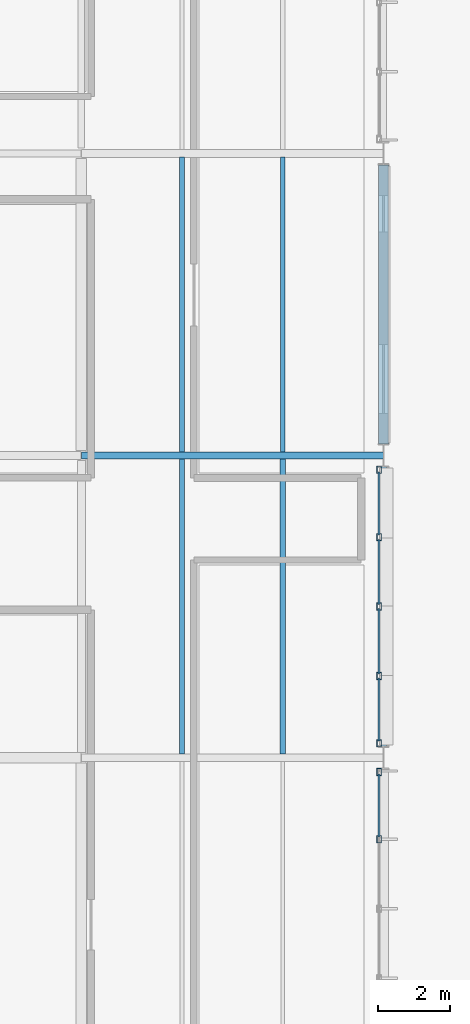
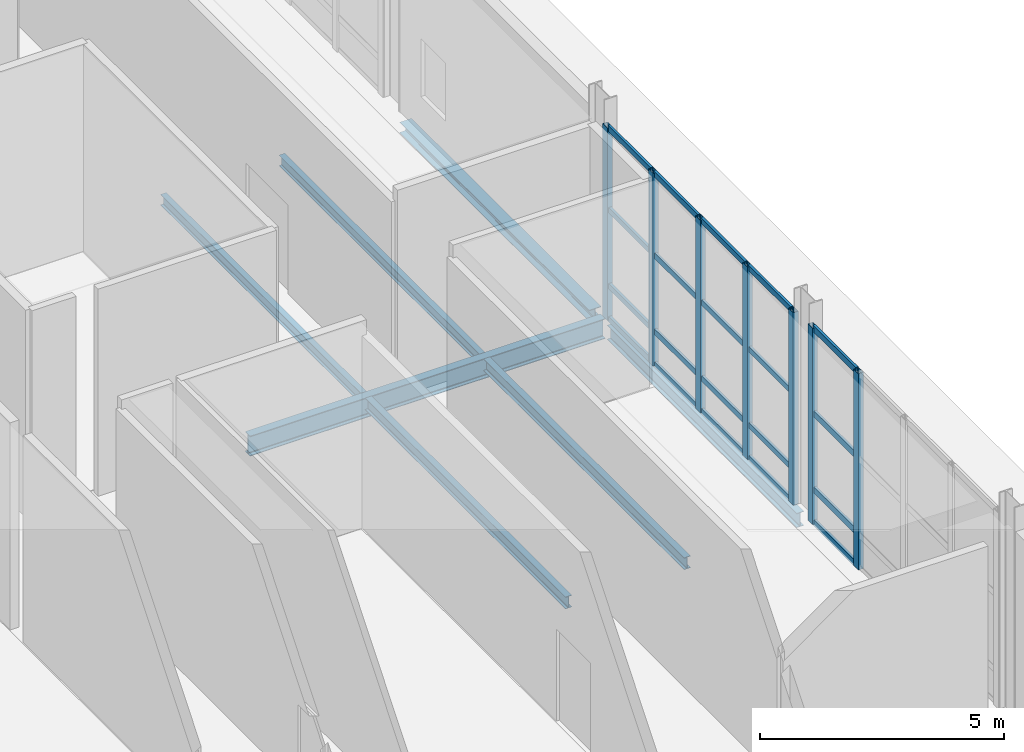
# One storey, part 31 of 124: 27 members, 7 beams, 2 elements without a shape of their own.
"""IFC4 building model written with IfcOpenShell, lengths in metres."""

from ifc_helpers import new_model, si_unit, direction, frame, origin, origin_2d, place, context, subcontext, project, spatial, hollow_rectangle, i_section, extrude, material, material_profile, profile_set, type_object, element, aggregate, save


model = new_model("IFC4")

# Units and contexts
model_context = context("Model", 3, precision=1e-05, world=origin(), true_north=direction((0.0, 1.0)))
body_context = subcontext(model_context, "Body", "Model", "MODEL_VIEW")
ifc_project = project(units=[si_unit("LENGTHUNIT", "METRE"), si_unit("AREAUNIT", "SQUARE_METRE"), si_unit("VOLUMEUNIT", "CUBIC_METRE"), si_unit("PLANEANGLEUNIT", "RADIAN"), si_unit("MASSUNIT", "GRAM", prefix="KILO")], contexts=[model_context])

# Site, building, storey
site_placement = place(None, origin())
site = spatial("IfcSite", under=ifc_project, at=site_placement, CompositionType="ELEMENT")
building_placement = place(site_placement, origin())
building = spatial("IfcBuilding", under=site, at=building_placement, Name="Mersafa Astral City Hall", CompositionType="ELEMENT")
storey_placement = place(building_placement, origin())
storey = spatial("IfcBuildingStorey", under=building, at=storey_placement, Name="L00", CompositionType="ELEMENT", Elevation=0.0)

# Curtain wall, members
ifc_material_1 = material(Name="Anodised bronze aluminium framing", Category="aluminium")
curtain_wall_type_1 = type_object("IfcCurtainWallType", Name="ENV-CW-3", PredefinedType="USERDEFINED", material=ifc_material_1)
curtain_wall_1_placement = place(storey_placement, origin())
curtain_wall_1 = element("IfcCurtainWall", 1, at=curtain_wall_1_placement, inside=storey, type_object=curtain_wall_type_1, Name="L00 Unitised solar curtain wall 8", ObjectType="UNITISED CURTAIN WALL", PredefinedType="USERDEFINED")
ifc_material_profile_1 = material_profile(ifc_material_1, hollow_rectangle(XDim=0.1201171875, YDim=0.199951171875, WallThickness=0.008056640625, at=origin_2d()), Name="RHS 120x200x8")
ifc_profile_set_1 = profile_set([ifc_material_profile_1], Name="Anodised bronze aluminium framing")
member_type_1 = type_object("IfcMemberType", Name="ENV-CW-MUL-2", PredefinedType="MULLION", material=ifc_profile_set_1)
member_1_placement = place(storey_placement, frame((117.47998046875, 48.131591796875, -0.001953125), z_axis=(0.0, 0.0, 1.0), x_axis=(-1.0, 0.0, 0.0)))
member_1 = element("IfcMember", 2, at=member_1_placement, type_object=member_type_1, Name="CW-3 mullion 4", PredefinedType="MULLION", context=body_context, shape_type="SweptSolid", body=[
    extrude(hollow_rectangle(XDim=0.1201171875, YDim=0.199951171875, WallThickness=0.008056640625, at=origin_2d()), origin(), (0.0, 0.0, 1.0), 4.904052734375),
])
member_2_placement = place(storey_placement, frame((117.47998046875, 50.0029296875, -0.001953125), z_axis=(0.0, 0.0, 1.0), x_axis=(-1.0, 0.0, 0.0)))
member_2 = element("IfcMember", 3, at=member_2_placement, type_object=member_type_1, Name="CW-3 mullion 5", PredefinedType="MULLION", context=body_context, shape_type="SweptSolid", body=[
    extrude(hollow_rectangle(XDim=0.1201171875, YDim=0.199951171875, WallThickness=0.008056640625, at=origin_2d()), origin(), (0.0, 0.0, 1.0), 4.904052734375),
])

curtain_wall_type_2 = type_object("IfcCurtainWallType", Name="ENV-CW-4", PredefinedType="USERDEFINED", material=ifc_material_1)
curtain_wall_2_placement = place(storey_placement, origin())
curtain_wall_2 = element("IfcCurtainWall", 4, at=curtain_wall_2_placement, inside=storey, type_object=curtain_wall_type_2, Name="L00 Unitised solar curtain wall 9", ObjectType="UNITISED CURTAIN WALL", PredefinedType="USERDEFINED")
member_3_placement = place(storey_placement, frame((117.47998046875, 50.797119140625, -0.001953125), z_axis=(0.0, 0.0, 1.0), x_axis=(-1.0, 0.0, 0.0)))
member_3 = element("IfcMember", 5, at=member_3_placement, type_object=member_type_1, Name="CW-4 mullion 1", PredefinedType="MULLION", context=body_context, shape_type="SweptSolid", body=[
    extrude(hollow_rectangle(XDim=0.1201171875, YDim=0.199951171875, WallThickness=0.008056640625, at=origin_2d()), origin(), (0.0, 0.0, 1.0), 4.81396484375),
])
member_4_placement = place(storey_placement, frame((117.47998046875, 52.66845703125, -0.001953125), z_axis=(0.0, 0.0, 1.0), x_axis=(-1.0, 0.0, 0.0)))
member_4 = element("IfcMember", 6, at=member_4_placement, type_object=member_type_1, Name="CW-4 mullion 2", PredefinedType="MULLION", context=body_context, shape_type="SweptSolid", body=[
    extrude(hollow_rectangle(XDim=0.1201171875, YDim=0.199951171875, WallThickness=0.008056640625, at=origin_2d()), origin(), (0.0, 0.0, 1.0), 4.81396484375),
])
member_5_placement = place(storey_placement, frame((117.47998046875, 54.60009765625, -0.001953125), z_axis=(0.0, 0.0, 1.0), x_axis=(-1.0, 0.0, 0.0)))
member_5 = element("IfcMember", 7, at=member_5_placement, type_object=member_type_1, Name="CW-4 mullion 3", PredefinedType="MULLION", context=body_context, shape_type="SweptSolid", body=[
    extrude(hollow_rectangle(XDim=0.1201171875, YDim=0.199951171875, WallThickness=0.008056640625, at=origin_2d()), origin(), (0.0, 0.0, 1.0), 4.81396484375),
])
member_6_placement = place(storey_placement, frame((117.47998046875, 56.531494140625, -0.001953125), z_axis=(0.0, 0.0, 1.0), x_axis=(-1.0, 0.0, 0.0)))
member_6 = element("IfcMember", 8, at=member_6_placement, type_object=member_type_1, Name="CW-4 mullion 4", PredefinedType="MULLION", context=body_context, shape_type="SweptSolid", body=[
    extrude(hollow_rectangle(XDim=0.1201171875, YDim=0.199951171875, WallThickness=0.008056640625, at=origin_2d()), origin(), (0.0, 0.0, 1.0), 4.81396484375),
])
member_7_placement = place(storey_placement, frame((117.47998046875, 58.403076171875, -0.001953125), z_axis=(0.0, 0.0, 1.0), x_axis=(-1.0, 0.0, 0.0)))
member_7 = element("IfcMember", 9, at=member_7_placement, type_object=member_type_1, Name="CW-4 mullion 5", PredefinedType="MULLION", context=body_context, shape_type="SweptSolid", body=[
    extrude(hollow_rectangle(XDim=0.1201171875, YDim=0.199951171875, WallThickness=0.008056640625, at=origin_2d()), origin(), (0.0, 0.0, 1.0), 4.81396484375),
])
ifc_material_profile_2 = material_profile(ifc_material_1, hollow_rectangle(XDim=0.06005859375, YDim=0.139892578125, WallThickness=0.00390625, at=origin_2d()), Name="RHS 60x140x4")
ifc_profile_set_2 = profile_set([ifc_material_profile_2], Name="Anodised bronze aluminium framing")
member_type_2 = type_object("IfcMemberType", Name="ENV-CW-TRN-1", PredefinedType="USERDEFINED", material=ifc_profile_set_2)
member_8_placement = place(storey_placement, frame((117.47998046875, 50.85693359375, 0.028076171875), z_axis=(0.0, 1.0, 0.0), x_axis=(-1.0, 0.0, 0.0)))
member_8 = element("IfcMember", 10, at=member_8_placement, type_object=member_type_2, Name="CW-4 transom 1.1", ObjectType="TRANSOM", PredefinedType="USERDEFINED", context=body_context, shape_type="SweptSolid", body=[
    extrude(hollow_rectangle(XDim=0.06005859375, YDim=0.139892578125, WallThickness=0.00390625, at=origin_2d()), origin(), (0.0, 0.0, 1.0), 1.75146484375),
])
member_9_placement = place(storey_placement, frame((117.47998046875, 50.85693359375, 0.85009765625), z_axis=(0.0, 1.0, 0.0), x_axis=(-1.0, 0.0, 0.0)))
member_9 = element("IfcMember", 11, at=member_9_placement, type_object=member_type_2, Name="CW-4 transom 1.2", ObjectType="TRANSOM", PredefinedType="USERDEFINED", context=body_context, shape_type="SweptSolid", body=[
    extrude(hollow_rectangle(XDim=0.06005859375, YDim=0.139892578125, WallThickness=0.00390625, at=origin_2d()), origin(), (0.0, 0.0, 1.0), 1.75146484375),
])
member_10_placement = place(storey_placement, frame((117.47998046875, 50.85693359375, 2.75), z_axis=(0.0, 1.0, 0.0), x_axis=(-1.0, 0.0, 0.0)))
member_10 = element("IfcMember", 12, at=member_10_placement, type_object=member_type_2, Name="CW-4 transom 1.3", ObjectType="TRANSOM", PredefinedType="USERDEFINED", context=body_context, shape_type="SweptSolid", body=[
    extrude(hollow_rectangle(XDim=0.06005859375, YDim=0.139892578125, WallThickness=0.00390625, at=origin_2d()), origin(), (0.0, 0.0, 1.0), 1.75146484375),
])
member_11_placement = place(storey_placement, frame((117.47998046875, 50.85693359375, 4.781982421875), z_axis=(0.0, 1.0, 0.0), x_axis=(-1.0, 0.0, 0.0)))
member_11 = element("IfcMember", 13, at=member_11_placement, type_object=member_type_2, Name="CW-4 transom 1.4", ObjectType="TRANSOM", PredefinedType="USERDEFINED", context=body_context, shape_type="SweptSolid", body=[
    extrude(hollow_rectangle(XDim=0.06005859375, YDim=0.139892578125, WallThickness=0.00390625, at=origin_2d()), origin(), (0.0, 0.0, 1.0), 1.75146484375),
])
member_12_placement = place(storey_placement, frame((117.47998046875, 52.728515625, 0.028076171875), z_axis=(0.0, 1.0, 0.0), x_axis=(-1.0, 0.0, 0.0)))
member_12 = element("IfcMember", 14, at=member_12_placement, type_object=member_type_2, Name="CW-4 transom 2.1", ObjectType="TRANSOM", PredefinedType="USERDEFINED", context=body_context, shape_type="SweptSolid", body=[
    extrude(hollow_rectangle(XDim=0.06005859375, YDim=0.139892578125, WallThickness=0.00390625, at=origin_2d()), origin(), (0.0, 0.0, 1.0), 1.8115234375),
])
member_13_placement = place(storey_placement, frame((117.47998046875, 52.728515625, 0.85009765625), z_axis=(0.0, 1.0, 0.0), x_axis=(-1.0, 0.0, 0.0)))
member_13 = element("IfcMember", 15, at=member_13_placement, type_object=member_type_2, Name="CW-4 transom 2.2", ObjectType="TRANSOM", PredefinedType="USERDEFINED", context=body_context, shape_type="SweptSolid", body=[
    extrude(hollow_rectangle(XDim=0.06005859375, YDim=0.139892578125, WallThickness=0.00390625, at=origin_2d()), origin(), (0.0, 0.0, 1.0), 1.8115234375),
])
member_14_placement = place(storey_placement, frame((117.47998046875, 52.728515625, 2.75), z_axis=(0.0, 1.0, 0.0), x_axis=(-1.0, 0.0, 0.0)))
member_14 = element("IfcMember", 16, at=member_14_placement, type_object=member_type_2, Name="CW-4 transom 2.3", ObjectType="TRANSOM", PredefinedType="USERDEFINED", context=body_context, shape_type="SweptSolid", body=[
    extrude(hollow_rectangle(XDim=0.06005859375, YDim=0.139892578125, WallThickness=0.00390625, at=origin_2d()), origin(), (0.0, 0.0, 1.0), 1.8115234375),
])
member_15_placement = place(storey_placement, frame((117.47998046875, 52.728515625, 4.781982421875), z_axis=(0.0, 1.0, 0.0), x_axis=(-1.0, 0.0, 0.0)))
member_15 = element("IfcMember", 17, at=member_15_placement, type_object=member_type_2, Name="CW-4 transom 2.4", ObjectType="TRANSOM", PredefinedType="USERDEFINED", context=body_context, shape_type="SweptSolid", body=[
    extrude(hollow_rectangle(XDim=0.06005859375, YDim=0.139892578125, WallThickness=0.00390625, at=origin_2d()), origin(), (0.0, 0.0, 1.0), 1.8115234375),
])
member_16_placement = place(storey_placement, frame((117.47998046875, 54.659912109375, 0.028076171875), z_axis=(0.0, 1.0, 0.0), x_axis=(-1.0, 0.0, 0.0)))
member_16 = element("IfcMember", 18, at=member_16_placement, type_object=member_type_2, Name="CW-4 transom 3.1", ObjectType="TRANSOM", PredefinedType="USERDEFINED", context=body_context, shape_type="SweptSolid", body=[
    extrude(hollow_rectangle(XDim=0.06005859375, YDim=0.139892578125, WallThickness=0.00390625, at=origin_2d()), origin(), (0.0, 0.0, 1.0), 1.8115234375),
])
member_17_placement = place(storey_placement, frame((117.47998046875, 54.659912109375, 0.85009765625), z_axis=(0.0, 1.0, 0.0), x_axis=(-1.0, 0.0, 0.0)))
member_17 = element("IfcMember", 19, at=member_17_placement, type_object=member_type_2, Name="CW-4 transom 3.2", ObjectType="TRANSOM", PredefinedType="USERDEFINED", context=body_context, shape_type="SweptSolid", body=[
    extrude(hollow_rectangle(XDim=0.06005859375, YDim=0.139892578125, WallThickness=0.00390625, at=origin_2d()), origin(), (0.0, 0.0, 1.0), 1.8115234375),
])
member_18_placement = place(storey_placement, frame((117.47998046875, 54.659912109375, 2.75), z_axis=(0.0, 1.0, 0.0), x_axis=(-1.0, 0.0, 0.0)))
member_18 = element("IfcMember", 20, at=member_18_placement, type_object=member_type_2, Name="CW-4 transom 3.3", ObjectType="TRANSOM", PredefinedType="USERDEFINED", context=body_context, shape_type="SweptSolid", body=[
    extrude(hollow_rectangle(XDim=0.06005859375, YDim=0.139892578125, WallThickness=0.00390625, at=origin_2d()), origin(), (0.0, 0.0, 1.0), 1.8115234375),
])
member_19_placement = place(storey_placement, frame((117.47998046875, 54.659912109375, 4.781982421875), z_axis=(0.0, 1.0, 0.0), x_axis=(-1.0, 0.0, 0.0)))
member_19 = element("IfcMember", 21, at=member_19_placement, type_object=member_type_2, Name="CW-4 transom 3.4", ObjectType="TRANSOM", PredefinedType="USERDEFINED", context=body_context, shape_type="SweptSolid", body=[
    extrude(hollow_rectangle(XDim=0.06005859375, YDim=0.139892578125, WallThickness=0.00390625, at=origin_2d()), origin(), (0.0, 0.0, 1.0), 1.8115234375),
])
member_20_placement = place(storey_placement, frame((117.47998046875, 56.591552734375, 0.028076171875), z_axis=(0.0, 1.0, 0.0), x_axis=(-1.0, 0.0, 0.0)))
member_20 = element("IfcMember", 22, at=member_20_placement, type_object=member_type_2, Name="CW-4 transom 4.1", ObjectType="TRANSOM", PredefinedType="USERDEFINED", context=body_context, shape_type="SweptSolid", body=[
    extrude(hollow_rectangle(XDim=0.06005859375, YDim=0.139892578125, WallThickness=0.00390625, at=origin_2d()), origin(), (0.0, 0.0, 1.0), 1.75146484375),
])
member_21_placement = place(storey_placement, frame((117.47998046875, 56.591552734375, 0.85009765625), z_axis=(0.0, 1.0, 0.0), x_axis=(-1.0, 0.0, 0.0)))
member_21 = element("IfcMember", 23, at=member_21_placement, type_object=member_type_2, Name="CW-4 transom 4.2", ObjectType="TRANSOM", PredefinedType="USERDEFINED", context=body_context, shape_type="SweptSolid", body=[
    extrude(hollow_rectangle(XDim=0.06005859375, YDim=0.139892578125, WallThickness=0.00390625, at=origin_2d()), origin(), (0.0, 0.0, 1.0), 1.75146484375),
])
member_22_placement = place(storey_placement, frame((117.47998046875, 56.591552734375, 2.75), z_axis=(0.0, 1.0, 0.0), x_axis=(-1.0, 0.0, 0.0)))
member_22 = element("IfcMember", 24, at=member_22_placement, type_object=member_type_2, Name="CW-4 transom 4.3", ObjectType="TRANSOM", PredefinedType="USERDEFINED", context=body_context, shape_type="SweptSolid", body=[
    extrude(hollow_rectangle(XDim=0.06005859375, YDim=0.139892578125, WallThickness=0.00390625, at=origin_2d()), origin(), (0.0, 0.0, 1.0), 1.75146484375),
])
member_23_placement = place(storey_placement, frame((117.47998046875, 56.591552734375, 4.781982421875), z_axis=(0.0, 1.0, 0.0), x_axis=(-1.0, 0.0, 0.0)))
member_23 = element("IfcMember", 25, at=member_23_placement, type_object=member_type_2, Name="CW-4 transom 4.4", ObjectType="TRANSOM", PredefinedType="USERDEFINED", context=body_context, shape_type="SweptSolid", body=[
    extrude(hollow_rectangle(XDim=0.06005859375, YDim=0.139892578125, WallThickness=0.00390625, at=origin_2d()), origin(), (0.0, 0.0, 1.0), 1.75146484375),
])
aggregate(curtain_wall_2, [member_3, member_4, member_5, member_6, member_7, member_8, member_9, member_10, member_11, member_12, member_13, member_14, member_15, member_16, member_17, member_18, member_19, member_20, member_21, member_22, member_23])

# Member
ifc_material_profile_3 = material_profile(ifc_material_1, hollow_rectangle(XDim=0.06005859375, YDim=0.159912109375, WallThickness=0.00390625, at=origin_2d()), Name="RHS 60x160x4")
ifc_profile_set_3 = profile_set([ifc_material_profile_3], Name="Anodised bronze aluminium framing")
member_type_3 = type_object("IfcMemberType", Name="ENV-CW-TRN-2", PredefinedType="USERDEFINED", material=ifc_profile_set_3)
member_24_placement = place(storey_placement, frame((117.47998046875, 48.19140625, 0.028076171875), z_axis=(0.0, 1.0, 0.0), x_axis=(-1.0, 0.0, 0.0)))
member_24 = element("IfcMember", 26, at=member_24_placement, type_object=member_type_3, Name="CW-3 transom 4.1", ObjectType="TRANSOM", PredefinedType="USERDEFINED", context=body_context, shape_type="SweptSolid", body=[
    extrude(hollow_rectangle(XDim=0.06005859375, YDim=0.159912109375, WallThickness=0.00390625, at=origin_2d()), origin(), (0.0, 0.0, 1.0), 1.751708984375),
])

member_25_placement = place(storey_placement, frame((117.47998046875, 48.19140625, 0.85009765625), z_axis=(0.0, 1.0, 0.0), x_axis=(-1.0, 0.0, 0.0)))
member_25 = element("IfcMember", 27, at=member_25_placement, type_object=member_type_3, Name="CW-3 transom 4.2", ObjectType="TRANSOM", PredefinedType="USERDEFINED", context=body_context, shape_type="SweptSolid", body=[
    extrude(hollow_rectangle(XDim=0.06005859375, YDim=0.159912109375, WallThickness=0.00390625, at=origin_2d()), origin(), (0.0, 0.0, 1.0), 1.751708984375),
])

member_26_placement = place(storey_placement, frame((117.47998046875, 48.19140625, 2.75), z_axis=(0.0, 1.0, 0.0), x_axis=(-1.0, 0.0, 0.0)))
member_26 = element("IfcMember", 28, at=member_26_placement, type_object=member_type_3, Name="CW-3 transom 4.3", ObjectType="TRANSOM", PredefinedType="USERDEFINED", context=body_context, shape_type="SweptSolid", body=[
    extrude(hollow_rectangle(XDim=0.06005859375, YDim=0.159912109375, WallThickness=0.00390625, at=origin_2d()), origin(), (0.0, 0.0, 1.0), 1.751708984375),
])

member_27_placement = place(storey_placement, frame((117.47998046875, 48.19140625, 4.8720703125), z_axis=(0.0, 1.0, 0.0), x_axis=(-1.0, 0.0, 0.0)))
member_27 = element("IfcMember", 29, at=member_27_placement, type_object=member_type_3, Name="CW-3 transom 4.4", ObjectType="TRANSOM", PredefinedType="USERDEFINED", context=body_context, shape_type="SweptSolid", body=[
    extrude(hollow_rectangle(XDim=0.06005859375, YDim=0.159912109375, WallThickness=0.00390625, at=origin_2d()), origin(), (0.0, 0.0, 1.0), 1.751708984375),
])

aggregate(curtain_wall_1, [member_1, member_2, member_24, member_25, member_26, member_27])

# Beams
ifc_material_2 = material(Name="Steel S355", Category="steel")
ifc_material_profile_4 = material_profile(ifc_material_2, i_section(OverallWidth=0.199951171875, OverallDepth=0.5, WebThickness=0.01025390625, FlangeThickness=0.01611328125, FilletRadius=0.02099609375, at=origin_2d()), Name="IPE 500")
ifc_profile_set_4 = profile_set([ifc_material_profile_4], Name="Steel S355")
beam_type_1 = type_object("IfcBeamType", Name="STR-BM-IPE500", PredefinedType="BEAM", material=ifc_profile_set_4)
beam_1_placement = place(storey_placement, frame((109.202880859375, 58.800048828125, -0.5), z_axis=(1.0, 0.0, 0.0), x_axis=(0.0, 1.0, 0.0)))
element("IfcBeam", 30, at=beam_1_placement, inside=storey, type_object=beam_type_1, Name="L00 Primary girder X 13-7", PredefinedType="BEAM", context=body_context, shape_type="SweptSolid", body=[
    extrude(i_section(OverallWidth=0.199951171875, OverallDepth=0.5, WebThickness=0.01025390625, FlangeThickness=0.01611328125, FilletRadius=0.02099609375, at=origin_2d()), origin(), (0.0, 0.0, 1.0), 8.39404296875),
])
ifc_material_profile_5 = material_profile(ifc_material_2, i_section(OverallWidth=0.135009765625, OverallDepth=0.27001953125, WebThickness=0.006591796875, FlangeThickness=0.01025390625, FilletRadius=0.014892578125, at=origin_2d()), Name="IPE 270")
ifc_profile_set_5 = profile_set([ifc_material_profile_5], Name="Steel S355")
beam_type_2 = type_object("IfcBeamType", Name="STR-BM-JOIST-IPE270", PredefinedType="JOIST", material=ifc_profile_set_5)
for number, where, z_axis, x_axis, name in (
    (31, (112.0, 58.89501953125, -0.385009765625), (0.0, 1.0, 0.0), (-1.0, 0.0, 0.0), "L00 Composite secondary floor joist 122"),
    (32, (114.800048828125, 58.89501953125, -0.385009765625), (0.0, 1.0, 0.0), (-1.0, 0.0, 0.0), "L00 Composite secondary floor joist 123"),
):
    element("IfcBeam", number, at=place(storey_placement, frame(where, z_axis=z_axis, x_axis=x_axis)), inside=storey, type_object=beam_type_2, Name=name, PredefinedType="JOIST", context=body_context, shape_type="SweptSolid", body=[
        extrude(i_section(OverallWidth=0.135009765625, OverallDepth=0.27001953125, WebThickness=0.006591796875, FlangeThickness=0.01025390625, FilletRadius=0.014892578125, at=origin_2d()), origin(), (0.0, 0.0, 1.0), 8.199951171875),
    ])
ifc_material_profile_6 = material_profile(ifc_material_2, i_section(OverallWidth=0.14990234375, OverallDepth=0.300048828125, WebThickness=0.007080078125, FlangeThickness=0.0107421875, FilletRadius=0.014892578125, at=origin_2d()), Name="IPE 300")
ifc_profile_set_6 = profile_set([ifc_material_profile_6], Name="Steel S355")
beam_type_3 = type_object("IfcBeamType", Name="STR-BM-JOIST-IPE300", PredefinedType="JOIST", material=ifc_profile_set_6)
for number, where, z_axis, x_axis, name in (
    (33, (112.0, 50.5, -0.39990234375), (0.0, 1.0, 0.0), (-1.0, 0.0, 0.0), "L00 Composite secondary floor joist 120"),
    (34, (114.800048828125, 50.5, -0.39990234375), (0.0, 1.0, 0.0), (-1.0, 0.0, 0.0), "L00 Composite secondary floor joist 121"),
):
    element("IfcBeam", number, at=place(storey_placement, frame(where, z_axis=z_axis, x_axis=x_axis)), inside=storey, type_object=beam_type_3, Name=name, PredefinedType="JOIST", context=body_context, shape_type="SweptSolid", body=[
        extrude(i_section(OverallWidth=0.14990234375, OverallDepth=0.300048828125, WebThickness=0.007080078125, FlangeThickness=0.0107421875, FilletRadius=0.014892578125, at=origin_2d()), origin(), (0.0, 0.0, 1.0), 8.205078125),
    ])
ifc_material_profile_7 = material_profile(ifc_material_2, i_section(OverallWidth=0.280029296875, OverallDepth=0.27001953125, WebThickness=0.008056640625, FlangeThickness=0.012939453125, FilletRadius=0.02392578125, at=origin_2d()), Name="HEA 280")
ifc_profile_set_7 = profile_set([ifc_material_profile_7], Name="Steel S355")
beam_type_4 = type_object("IfcBeamType", Name="STR-BM-SPANDREL-HEA280", PredefinedType="SPANDREL", material=ifc_profile_set_7)
beam_2_placement = place(storey_placement, frame((117.60009765625, 59.1201171875, -0.385009765625), z_axis=(0.0, 1.0, 0.0), x_axis=(-1.0, 0.0, 0.0)))
element("IfcBeam", 35, at=beam_2_placement, inside=storey, type_object=beam_type_4, Name="L00 Primary girder Y 14-7", PredefinedType="SPANDREL", context=body_context, shape_type="SweptSolid", body=[
    extrude(i_section(OverallWidth=0.280029296875, OverallDepth=0.27001953125, WebThickness=0.008056640625, FlangeThickness=0.012939453125, FilletRadius=0.02392578125, at=origin_2d()), origin(), (0.0, 0.0, 1.0), 7.759765625),
])
ifc_material_profile_8 = material_profile(ifc_material_2, i_section(OverallWidth=0.169921875, OverallDepth=0.360107421875, WebThickness=0.008056640625, FlangeThickness=0.0126953125, FilletRadius=0.01806640625, at=origin_2d()), Name="IPE 360")
ifc_profile_set_8 = profile_set([ifc_material_profile_8], Name="Steel S355")
beam_type_5 = type_object("IfcBeamType", Name="STR-BM-SPANDREL-IPE360", PredefinedType="SPANDREL", material=ifc_profile_set_8)
beam_3_placement = place(storey_placement, frame((117.60009765625, 50.719970703125, -0.429931640625), z_axis=(0.0, 1.0, 0.0), x_axis=(-1.0, 0.0, 0.0)))
element("IfcBeam", 36, at=beam_3_placement, inside=storey, type_object=beam_type_5, Name="L00 Primary girder Y 14-6", PredefinedType="SPANDREL", context=body_context, shape_type="SweptSolid", body=[
    extrude(i_section(OverallWidth=0.169921875, OverallDepth=0.360107421875, WebThickness=0.008056640625, FlangeThickness=0.0126953125, FilletRadius=0.01806640625, at=origin_2d()), origin(), (0.0, 0.0, 1.0), 7.760009765625),
])

save(model, "model.ifc")
